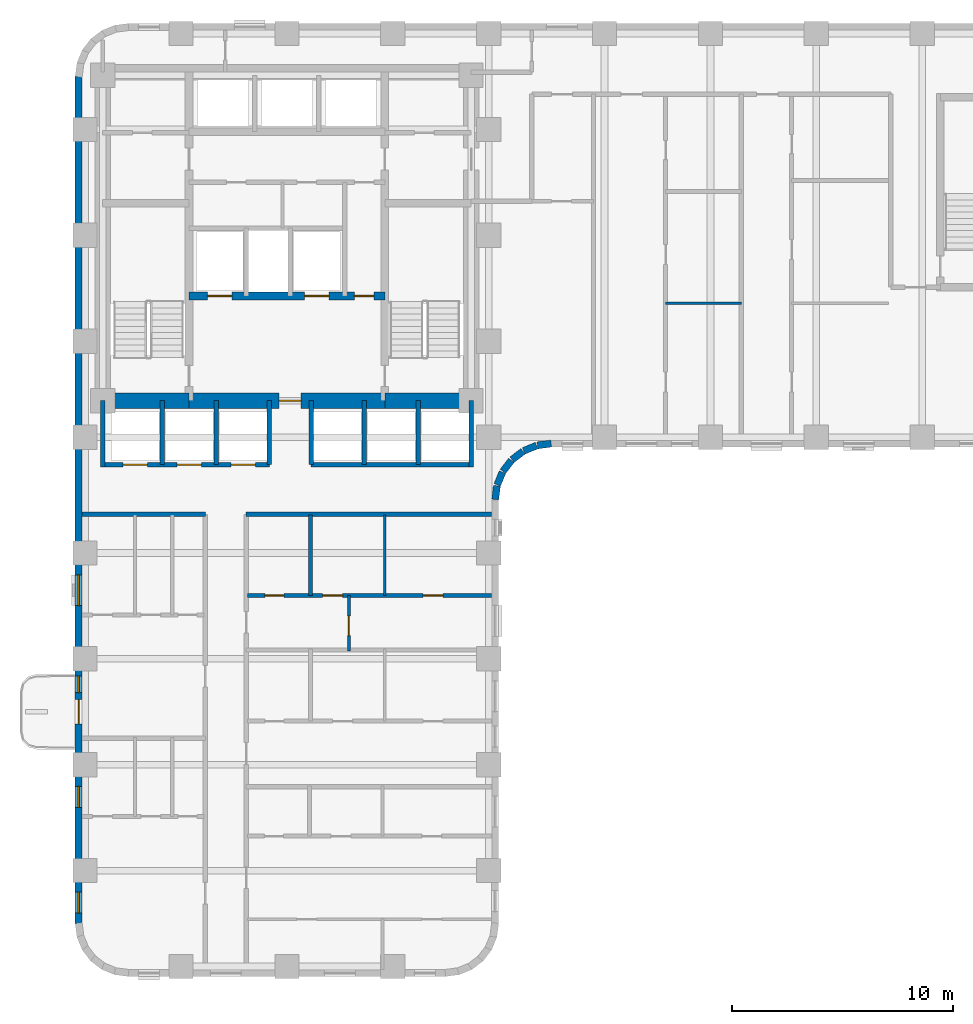
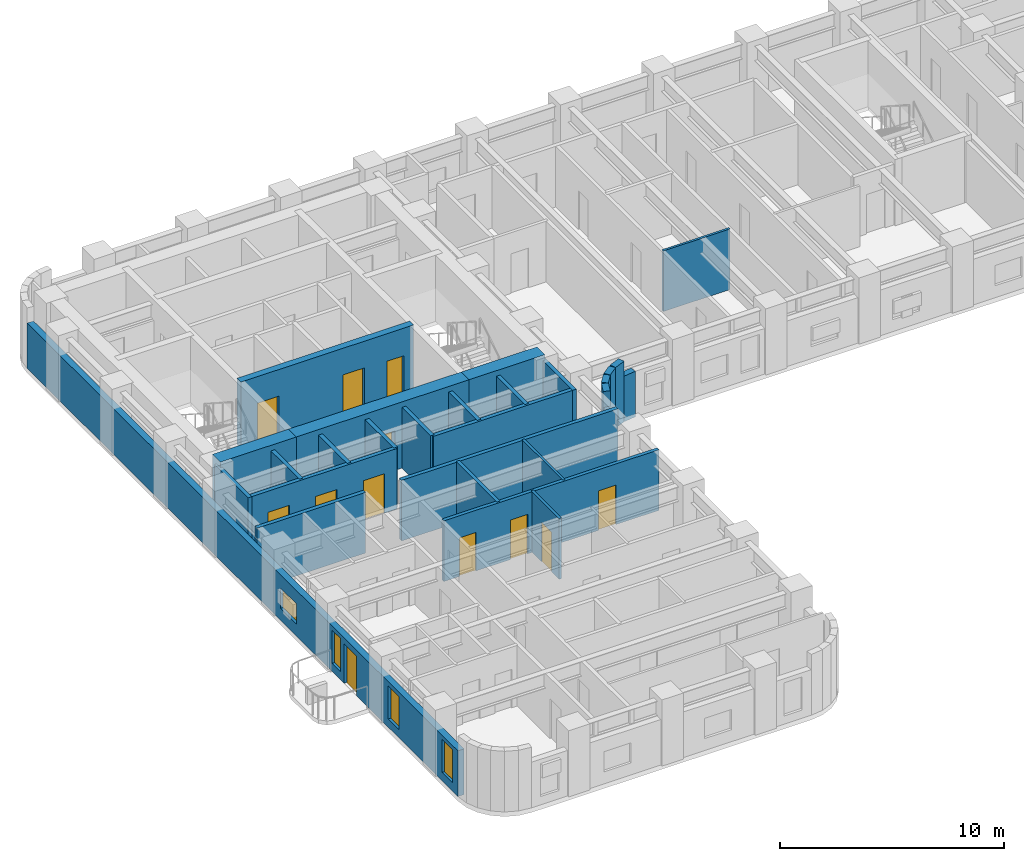
# One storey, part 4 of 11: 28 walls, 12 doors, 4 windows, 16 openings.
"""IFC4 building model written with IfcOpenShell, lengths in metres."""

from ifc_helpers import new_model, si_unit, direction, frame, frame_2d, origin, place, context, subcontext, project, spatial, rectangle, extrude, material, layer, layer_set, type_object, element, fill, save


model = new_model("IFC4")

# Units and contexts
model_context = context("Model", 3, precision=1e-05, world=origin(), true_north=direction((0.0, 1.0)))
body_context = subcontext(model_context, "Body", "Model", "MODEL_VIEW")
ifc_project = project(units=[si_unit("LENGTHUNIT", "METRE"), si_unit("AREAUNIT", "SQUARE_METRE"), si_unit("VOLUMEUNIT", "CUBIC_METRE"), si_unit("PLANEANGLEUNIT", "RADIAN"), si_unit("MASSUNIT", "GRAM", prefix="KILO")], contexts=[model_context])

# Site, building, storey
site_placement = place(None, origin())
site = spatial("IfcSite", under=ifc_project, at=site_placement, CompositionType="ELEMENT")
building_placement = place(site_placement, origin())
building = spatial("IfcBuilding", under=site, at=building_placement, Name="Orvandelia Arch Residences", CompositionType="ELEMENT")
storey_placement = place(building_placement, frame((0.0, 0.0, 93.39990234375)))
storey = spatial("IfcBuildingStorey", under=building, at=storey_placement, Name="L24", CompositionType="ELEMENT", Elevation=93.39990234375)

# Wall, openings, doors
ifc_material_1 = material(Name="Concrete C50/60", Category="concrete")
ifc_layer_1 = layer(ifc_material_1, 0.35009765625, Name="Concrete C50/60", Category="concrete")
ifc_layer_set_1 = layer_set([ifc_layer_1], Name="Concrete C50/60")
wall_type_1 = type_object("IfcWallType", Name="WL-CORE-350", PredefinedType="SHEAR", material=ifc_layer_set_1)
wall_1_placement = place(storey_placement, frame((9.9599609375, 35.64990234375, 0.0), z_axis=(0.0, 0.0, 1.0), x_axis=(1.0, 0.0, 0.0)))
wall_1 = element("IfcWall", 1, at=wall_1_placement, inside=storey, type_object=wall_type_1, Name="Core Shear Wall L24-HZ3", PredefinedType="SHEAR", context=body_context, shape_type="SweptSolid", body=[
    extrude(rectangle(XDim=8.880126953125, YDim=0.35009765625, at=frame_2d((4.43994140625, 0.0))), origin(), (0.0, 0.0, 1.0), 3.60009765625),
])
opening_1_placement = place(wall_1_placement, frame((0.840087890625, 0.0, 0.0)))
opening_1 = element("IfcOpeningElement", 2, at=opening_1_placement, cuts=wall_1, Name="Opening FLD", PredefinedType="OPENING", context=body_context, shape_type="SweptSolid", body=[
    extrude(rectangle(XDim=1.10009765625, YDim=2.14990234375, at=frame_2d((0.550048828125, 1.074951171875))), frame((0.0, 0.18505859375, 0.0), z_axis=(0.0, -1.0, 0.0), x_axis=(1.0, 0.0, 0.0)), (0.0, 0.0, 1.0), 0.3701171875),
])
opening_2_placement = place(wall_1_placement, frame((5.239990234375, 0.0, 0.0)))
opening_2 = element("IfcOpeningElement", 3, at=opening_2_placement, cuts=wall_1, Name="Opening FLD", PredefinedType="OPENING", context=body_context, shape_type="SweptSolid", body=[
    extrude(rectangle(XDim=1.10009765625, YDim=2.14990234375, at=frame_2d((0.550048828125, 1.074951171875))), frame((0.0, 0.18505859375, 0.0), z_axis=(0.0, -1.0, 0.0), x_axis=(1.0, 0.0, 0.0)), (0.0, 0.0, 1.0), 0.3701171875),
])
opening_3_placement = place(wall_1_placement, frame((7.5, 0.0, 0.0)))
opening_3 = element("IfcOpeningElement", 4, at=opening_3_placement, cuts=wall_1, Name="Opening D5", PredefinedType="OPENING", context=body_context, shape_type="SweptSolid", body=[
    extrude(rectangle(XDim=0.8798828125, YDim=2.10009765625, at=frame_2d((0.43994140625, 1.050048828125))), frame((0.0, 0.18505859375, 0.0), z_axis=(0.0, -1.0, 0.0), x_axis=(1.0, 0.0, 0.0)), (0.0, 0.0, 1.0), 0.3701171875),
])
ifc_material_2 = material(Name="Firefighting Lift Stainless Sliding Door")
door_type_1 = type_object("IfcDoorType", Name="DR-FLFT-1100", OperationType="NOTDEFINED", PredefinedType="DOOR", material=ifc_material_2)
door_1_placement = place(opening_1_placement, origin())
door_1 = element("IfcDoor", 5, at=door_1_placement, inside=storey, type_object=door_type_1, Name="Firefighting Lift Landing Door FLD-FL1-L24", OperationType="SLIDING_TO_LEFT", OverallHeight=2.14990234375, OverallWidth=1.10009765625, PredefinedType="DOOR", context=body_context, shape_type="SweptSolid", body=[
    extrude(rectangle(XDim=1.10009765625, YDim=2.14990234375, at=frame_2d((0.550048828125, 1.074951171875))), frame((0.0, 0.02490234375, 0.0), z_axis=(0.0, -1.0, 0.0), x_axis=(1.0, 0.0, 0.0)), (0.0, 0.0, 1.0), 0.050048828125),
])
fill(opening_1, door_1)
door_2_placement = place(opening_2_placement, origin())
door_2 = element("IfcDoor", 6, at=door_2_placement, inside=storey, type_object=door_type_1, Name="Firefighting Lift Landing Door FLD-FL2-L24", OperationType="SLIDING_TO_RIGHT", OverallHeight=2.14990234375, OverallWidth=1.10009765625, PredefinedType="DOOR", context=body_context, shape_type="SweptSolid", body=[
    extrude(rectangle(XDim=1.10009765625, YDim=2.14990234375, at=frame_2d((0.550048828125, 1.074951171875))), frame((0.0, 0.02490234375, 0.0), z_axis=(0.0, -1.0, 0.0), x_axis=(1.0, 0.0, 0.0)), (0.0, 0.0, 1.0), 0.050048828125),
])
fill(opening_2, door_2)
ifc_material_3 = material(Name="Painted Galvanised Steel Service Door", Category="steel")
door_type_2 = type_object("IfcDoorType", Name="DR-SRV-880", OperationType="NOTDEFINED", PredefinedType="DOOR", material=ifc_material_3)
door_3_placement = place(opening_3_placement, origin())
door_3 = element("IfcDoor", 7, at=door_3_placement, inside=storey, type_object=door_type_2, Name="Core Stairway Passage South Fire Door L24", OperationType="SINGLE_SWING_LEFT", OverallHeight=2.10009765625, OverallWidth=0.8798828125, PredefinedType="DOOR", context=body_context, shape_type="SweptSolid", body=[
    extrude(rectangle(XDim=0.8798828125, YDim=2.10009765625, at=frame_2d((0.43994140625, 1.050048828125))), frame((0.0, 0.02490234375, 0.0), z_axis=(0.0, -1.0, 0.0), x_axis=(1.0, 0.0, 0.0)), (0.0, 0.0, 1.0), 0.050048828125),
])
fill(opening_3, door_3)

# Wall
ifc_material_4 = material(Name="Concrete C80/95", Category="concrete")
ifc_layer_2 = layer(ifc_material_4, 0.699951171875, Name="Concrete C80/95", Category="concrete")
ifc_layer_set_2 = layer_set([ifc_layer_2], Name="Concrete C80/95")
wall_type_2 = type_object("IfcWallType", Name="WL-CORE-700", PredefinedType="SHEAR", material=ifc_layer_set_2)
wall_2_placement = place(storey_placement, frame((6.050048828125, 30.89990234375, 0.0), z_axis=(0.0, 0.0, 1.0), x_axis=(1.0, 0.0, 0.0)))
element("IfcWall", 8, at=wall_2_placement, inside=storey, type_object=wall_type_2, Name="Core Shear Wall L24-SW", PredefinedType="SHEAR", context=body_context, shape_type="SweptSolid", body=[
    extrude(rectangle(XDim=3.909912109375, YDim=0.699951171875, at=frame_2d((1.955078125, 0.0))), origin(), (0.0, 0.0, 1.0), 3.60009765625),
])

# Wall, opening, door
wall_3_placement = place(storey_placement, frame((9.9599609375, 30.89990234375, 0.0), z_axis=(0.0, 0.0, 1.0), x_axis=(1.0, 0.0, 0.0)))
wall_3 = element("IfcWall", 9, at=wall_3_placement, inside=storey, type_object=wall_type_2, Name="Core Shear Wall L24-SM", PredefinedType="SHEAR", context=body_context, shape_type="SweptSolid", body=[
    extrude(rectangle(XDim=8.880126953125, YDim=0.699951171875, at=frame_2d((4.43994140625, 0.0))), origin(), (0.0, 0.0, 1.0), 3.60009765625),
])
opening_4_placement = place(wall_3_placement, frame((4.090087890625, 0.0, 0.0)))
opening_4 = element("IfcOpeningElement", 10, at=opening_4_placement, cuts=wall_3, Name="Opening D6", PredefinedType="OPENING", context=body_context, shape_type="SweptSolid", body=[
    extrude(rectangle(XDim=1.0, YDim=2.14990234375, at=frame_2d((0.5, 1.074951171875))), frame((0.0, 0.35986328125, 0.0), z_axis=(0.0, -1.0, 0.0), x_axis=(1.0, 0.0, 0.0)), (0.0, 0.0, 1.0), 0.719970703125),
])
ifc_material_5 = material(Name="Smokeproof Painted Steel Fire Door", Category="steel")
door_type_3 = type_object("IfcDoorType", Name="DR-FD60-1000", OperationType="NOTDEFINED", PredefinedType="DOOR", material=ifc_material_5)
door_4_placement = place(opening_4_placement, origin())
door_4 = element("IfcDoor", 11, at=door_4_placement, inside=storey, type_object=door_type_3, Name="Firefighting Lobby Smokeproof Door L24", OperationType="SINGLE_SWING_LEFT", OverallHeight=2.14990234375, OverallWidth=1.0, PredefinedType="DOOR", context=body_context, shape_type="SweptSolid", body=[
    extrude(rectangle(XDim=1.0, YDim=2.14990234375, at=frame_2d((0.5, 1.074951171875))), frame((0.0, 0.02490234375, 0.0), z_axis=(0.0, -1.0, 0.0), x_axis=(1.0, 0.0, 0.0)), (0.0, 0.0, 1.0), 0.050048828125),
])
fill(opening_4, door_4)

# Walls
wall_4_placement = place(storey_placement, frame((18.840087890625, 30.89990234375, 0.0), z_axis=(0.0, 0.0, 1.0), x_axis=(1.0, 0.0, 0.0)))
element("IfcWall", 12, at=wall_4_placement, inside=storey, type_object=wall_type_2, Name="Core Shear Wall L24-SE", PredefinedType="SHEAR", context=body_context, shape_type="SweptSolid", body=[
    extrude(rectangle(XDim=3.909912109375, YDim=0.699951171875, at=frame_2d((1.955078125, 0.0))), origin(), (0.0, 0.0, 1.0), 3.60009765625),
])
ifc_material_6 = material(Name="Fire-Rated Corridor Partition")
ifc_layer_3 = layer(ifc_material_6, 0.199951171875, Name="Fire-Rated Corridor Partition")
ifc_layer_set_3 = layer_set([ifc_layer_3], Name="Fire-Rated Corridor Partition")
wall_type_3 = type_object("IfcWallType", Name="WL-CORR-200", PredefinedType="PARTITIONING", material=ifc_layer_set_3)
wall_5_placement = place(storey_placement, frame((5.1201171875, 25.75, 0.0), z_axis=(0.0, 0.0, 1.0), x_axis=(1.0, 0.0, 0.0)))
element("IfcWall", 13, at=wall_5_placement, inside=storey, type_object=wall_type_3, Name="Interior Partition Wall WL-L24-WCLS-W", PredefinedType="PARTITIONING", context=body_context, shape_type="SweptSolid", body=[
    extrude(rectangle(XDim=5.579833984375, YDim=0.199951171875, at=frame_2d((2.7900390625, 0.0))), origin(), (0.0, 0.0, 1.0), 3.300048828125),
])
wall_6_placement = place(storey_placement, frame((12.550048828125, 25.75, 0.0), z_axis=(0.0, 0.0, 1.0), x_axis=(1.0, 0.0, 0.0)))
element("IfcWall", 14, at=wall_6_placement, inside=storey, type_object=wall_type_3, Name="Interior Partition Wall WL-L24-WCLS-E", PredefinedType="PARTITIONING", context=body_context, shape_type="SweptSolid", body=[
    extrude(rectangle(XDim=11.1298828125, YDim=0.199951171875, at=frame_2d((5.56494140625, 0.0))), origin(), (0.0, 0.0, 1.0), 3.300048828125),
])
ifc_material_7 = material(Name="Precast concrete C40/50", Category="concrete")
ifc_layer_4 = layer(ifc_material_7, 0.320068359375, Name="Precast concrete C40/50", Category="concrete")
ifc_layer_set_4 = layer_set([ifc_layer_4], Name="Precast concrete C40/50")
wall_type_4 = type_object("IfcWallType", Name="WL-EXT-STONE-320", PredefinedType="STANDARD", material=ifc_layer_set_4)
wall_7_placement = place(storey_placement, frame((26.379150390625, 28.95849609375, 0.0), z_axis=(0.0, 0.0, 1.0), x_axis=(-0.991447664465, -0.130504898859, 0.0)))
element("IfcWall", 15, at=wall_7_placement, inside=storey, type_object=wall_type_4, Name="Coral-Limestone Precast Facade Wall L24-022", PredefinedType="STANDARD", context=body_context, shape_type="SweptSolid", body=[
    extrude(rectangle(XDim=0.626708984375, YDim=0.320068359375, at=frame_2d((0.3134765625, 0.0))), origin(), (0.0, 0.0, 1.0), 2.47998046875),
])
wall_8_placement = place(storey_placement, frame((25.717529296875, 28.865966796875, 0.0), z_axis=(0.0, 0.0, 1.0), x_axis=(-0.923836271867, -0.382787856107, 0.0)))
element("IfcWall", 16, at=wall_8_placement, inside=storey, type_object=wall_type_4, Name="Coral-Limestone Precast Facade Wall L24-023", PredefinedType="STANDARD", context=body_context, shape_type="SweptSolid", body=[
    extrude(rectangle(XDim=0.626220703125, YDim=0.320068359375, at=frame_2d((0.31298828125, 0.0))), origin(), (0.0, 0.0, 1.0), 3.300048828125),
])
for number, where, z_axis, x_axis, name in (
    (17, (25.1025390625, 28.60546875, 0.0), (0.0, 0.0, 1.0), (-0.793405610854, -0.608693302629, 0.0), "Coral-Limestone Precast Facade Wall L24-024"),
    (18, (24.575927734375, 28.194580078125, 0.0), (0.0, 0.0, 1.0), (-0.608693302629, -0.793405610854, 0.0), "Coral-Limestone Precast Facade Wall L24-025"),
):
    element("IfcWall", number, at=place(storey_placement, frame(where, z_axis=z_axis, x_axis=x_axis)), inside=storey, type_object=wall_type_4, Name=name, PredefinedType="STANDARD", context=body_context, shape_type="SweptSolid", body=[
        extrude(rectangle(XDim=0.62646484375, YDim=0.320068359375, at=frame_2d((0.313232421875, 0.0))), origin(), (0.0, 0.0, 1.0), 3.300048828125),
    ])
wall_9_placement = place(storey_placement, frame((24.173583984375, 27.6611328125, 0.0), z_axis=(0.0, 0.0, 1.0), x_axis=(-0.382455093999, -0.923974080304, 0.0)))
element("IfcWall", 19, at=wall_9_placement, inside=storey, type_object=wall_type_4, Name="Coral-Limestone Precast Facade Wall L24-026", PredefinedType="STANDARD", context=body_context, shape_type="SweptSolid", body=[
    extrude(rectangle(XDim=0.626220703125, YDim=0.320068359375, at=frame_2d((0.31298828125, 0.0))), origin(), (0.0, 0.0, 1.0), 3.300048828125),
])
wall_10_placement = place(storey_placement, frame((23.923095703125, 27.0419921875, 0.0), z_axis=(0.0, 0.0, 1.0), x_axis=(-0.130555323746, -0.9914410257, 0.0)))
element("IfcWall", 20, at=wall_10_placement, inside=storey, type_object=wall_type_4, Name="Coral-Limestone Precast Facade Wall L24-027", PredefinedType="STANDARD", context=body_context, shape_type="SweptSolid", body=[
    extrude(rectangle(XDim=0.62646484375, YDim=0.320068359375, at=frame_2d((0.313232421875, 0.0))), origin(), (0.0, 0.0, 1.0), 2.47998046875),
])

# Wall, openings, door, windows
wall_11_placement = place(storey_placement, frame((4.9599609375, 7.199951171875, 0.0), z_axis=(0.0, 0.0, 1.0), x_axis=(0.0, 1.0, 0.0)))
wall_11 = element("IfcWall", 21, at=wall_11_placement, inside=storey, type_object=wall_type_4, Name="Coral-Limestone Precast Facade Wall L24-042", PredefinedType="STANDARD", context=body_context, shape_type="SweptSolid", body=[
    extrude(rectangle(XDim=38.400146484375, YDim=0.320068359375, at=frame_2d((19.2001953125, 0.0))), origin(), (0.0, 0.0, 1.0), 2.47998046875),
])
opening_5_placement = place(wall_11_placement, frame((9.050048828125, 0.0, 0.0)))
opening_5 = element("IfcOpeningElement", 22, at=opening_5_placement, cuts=wall_11, Name="Opening BD1", PredefinedType="OPENING", context=body_context, shape_type="SweptSolid", body=[
    extrude(rectangle(XDim=1.10009765625, YDim=2.14990234375, at=frame_2d((0.550048828125, 1.074951171875))), frame((0.0, 0.169921875, 0.0), z_axis=(0.0, -1.0, 0.0), x_axis=(1.0, 0.0, 0.0)), (0.0, 0.0, 1.0), 0.340087890625),
])
opening_6_placement = place(wall_11_placement, frame((5.27001953125, 0.0, 0.449951171875)))
opening_6 = element("IfcOpeningElement", 23, at=opening_6_placement, cuts=wall_11, Name="Opening W4", PredefinedType="OPENING", context=body_context, shape_type="SweptSolid", body=[
    extrude(rectangle(XDim=0.949951171875, YDim=1.800048828125, at=frame_2d((0.47509765625, 0.89990234375))), frame((0.0, 0.169921875, 0.0), z_axis=(0.0, -1.0, 0.0), x_axis=(1.0, 0.0, 0.0)), (0.0, 0.0, 1.0), 0.340087890625),
])
opening_7_placement = place(wall_11_placement, frame((14.409912109375, 0.0, 0.64990234375)))
opening_7 = element("IfcOpeningElement", 24, at=opening_7_placement, cuts=wall_11, Name="Opening W10", PredefinedType="OPENING", context=body_context, shape_type="SweptSolid", body=[
    extrude(rectangle(XDim=1.39990234375, YDim=1.10009765625, at=frame_2d((0.699951171875, 0.550048828125))), frame((0.0, 0.169921875, 0.0), z_axis=(0.0, -1.0, 0.0), x_axis=(1.0, 0.0, 0.0)), (0.0, 0.0, 1.0), 0.340087890625),
])
opening_8_placement = place(wall_11_placement, frame((0.469970703125, 0.0, 0.449951171875)))
opening_8 = element("IfcOpeningElement", 25, at=opening_8_placement, cuts=wall_11, Name="Opening W4", PredefinedType="OPENING", context=body_context, shape_type="SweptSolid", body=[
    extrude(rectangle(XDim=0.949951171875, YDim=1.800048828125, at=frame_2d((0.47509765625, 0.89990234375))), frame((0.0, 0.169921875, 0.0), z_axis=(0.0, -1.0, 0.0), x_axis=(1.0, 0.0, 0.0)), (0.0, 0.0, 1.0), 0.340087890625),
])
opening_9_placement = place(wall_11_placement, frame((10.465087890625, 0.0, 0.449951171875)))
opening_9 = element("IfcOpeningElement", 26, at=opening_9_placement, cuts=wall_11, Name="Opening W11", PredefinedType="OPENING", context=body_context, shape_type="SweptSolid", body=[
    extrude(rectangle(XDim=0.75, YDim=1.800048828125, at=frame_2d((0.375, 0.89990234375))), frame((0.0, 0.169921875, 0.0), z_axis=(0.0, -1.0, 0.0), x_axis=(1.0, 0.0, 0.0)), (0.0, 0.0, 1.0), 0.340087890625),
])
ifc_material_8 = material(Name="Thermally Broken Aluminium Glazed Door", Category="aluminium")
door_type_4 = type_object("IfcDoorType", Name="DR-BAL-GLAZ-1100", OperationType="NOTDEFINED", PredefinedType="DOOR", material=ifc_material_8)
door_5_placement = place(opening_5_placement, origin())
door_5 = element("IfcDoor", 27, at=door_5_placement, inside=storey, type_object=door_type_4, Name="Tree Balcony Glazed Door BAL-L24-W1", OperationType="SINGLE_SWING_RIGHT", OverallHeight=2.14990234375, OverallWidth=1.10009765625, PredefinedType="DOOR", context=body_context, shape_type="SweptSolid", body=[
    extrude(rectangle(XDim=1.10009765625, YDim=2.14990234375, at=frame_2d((0.550048828125, 1.074951171875))), frame((0.0, 0.02490234375, 0.0), z_axis=(0.0, -1.0, 0.0), x_axis=(1.0, 0.0, 0.0)), (0.0, 0.0, 1.0), 0.050048828125),
])
fill(opening_5, door_5)
ifc_material_9 = material(Name="Tempered Low-E Insulated Glazing", Category="glass")
window_type_1 = type_object("IfcWindowType", Name="WIN-BED-0750x1800", PartitioningType="SINGLE_PANEL", PredefinedType="WINDOW", material=ifc_material_9)
window_1_placement = place(opening_9_placement, origin())
window_1 = element("IfcWindow", 28, at=window_1_placement, inside=storey, type_object=window_type_1, Name="Recessed Punched Window L24-029", OverallHeight=1.800048828125, OverallWidth=0.75, PartitioningType="SINGLE_PANEL", PredefinedType="WINDOW", context=body_context, shape_type="SweptSolid", body=[
    extrude(rectangle(XDim=0.75, YDim=1.800048828125, at=frame_2d((0.375, 0.89990234375))), frame((0.0, 0.030029296875, 0.0), z_axis=(0.0, -1.0, 0.0), x_axis=(1.0, 0.0, 0.0)), (0.0, 0.0, 1.0), 0.06005859375),
])
fill(opening_9, window_1)
window_type_2 = type_object("IfcWindowType", Name="WIN-CLR-1400x1100", PartitioningType="SINGLE_PANEL", PredefinedType="WINDOW", material=ifc_material_9)
window_2_placement = place(opening_7_placement, origin())
window_2 = element("IfcWindow", 29, at=window_2_placement, inside=storey, type_object=window_type_2, Name="Recessed Punched Window L24-027", OverallHeight=1.10009765625, OverallWidth=1.39990234375, PartitioningType="SINGLE_PANEL", PredefinedType="WINDOW", context=body_context, shape_type="SweptSolid", body=[
    extrude(rectangle(XDim=1.39990234375, YDim=1.10009765625, at=frame_2d((0.699951171875, 0.550048828125))), frame((0.0, 0.030029296875, 0.0), z_axis=(0.0, -1.0, 0.0), x_axis=(1.0, 0.0, 0.0)), (0.0, 0.0, 1.0), 0.06005859375),
])
fill(opening_7, window_2)
window_type_3 = type_object("IfcWindowType", Name="WIN-RES-0950x1800", PartitioningType="SINGLE_PANEL", PredefinedType="WINDOW", material=ifc_material_9)
window_3_placement = place(opening_6_placement, origin())
window_3 = element("IfcWindow", 30, at=window_3_placement, inside=storey, type_object=window_type_3, Name="Recessed Punched Window L24-026", OverallHeight=1.800048828125, OverallWidth=0.949951171875, PartitioningType="SINGLE_PANEL", PredefinedType="WINDOW", context=body_context, shape_type="SweptSolid", body=[
    extrude(rectangle(XDim=0.949951171875, YDim=1.800048828125, at=frame_2d((0.47509765625, 0.89990234375))), frame((0.0, 0.030029296875, 0.0), z_axis=(0.0, -1.0, 0.0), x_axis=(1.0, 0.0, 0.0)), (0.0, 0.0, 1.0), 0.06005859375),
])
fill(opening_6, window_3)
window_4_placement = place(opening_8_placement, origin())
window_4 = element("IfcWindow", 31, at=window_4_placement, inside=storey, type_object=window_type_3, Name="Recessed Punched Window L24-028", OverallHeight=1.800048828125, OverallWidth=0.949951171875, PartitioningType="SINGLE_PANEL", PredefinedType="WINDOW", context=body_context, shape_type="SweptSolid", body=[
    extrude(rectangle(XDim=0.949951171875, YDim=1.800048828125, at=frame_2d((0.47509765625, 0.89990234375))), frame((0.0, 0.030029296875, 0.0), z_axis=(0.0, -1.0, 0.0), x_axis=(1.0, 0.0, 0.0)), (0.0, 0.0, 1.0), 0.06005859375),
])
fill(opening_8, window_4)

# Walls
ifc_material_10 = material(Name="Lightweight Gypsum Stud Partition")
ifc_layer_5 = layer(ifc_material_10, 0.1201171875, Name="Lightweight Gypsum Stud Partition")
ifc_layer_set_5 = layer_set([ifc_layer_5], Name="Lightweight Gypsum Stud Partition")
wall_type_5 = type_object("IfcWallType", Name="WL-PART-120", PredefinedType="PARTITIONING", material=ifc_layer_set_5)
wall_12_placement = place(storey_placement, frame((18.843017578125, 22.070068359375, 0.0), z_axis=(0.0, 0.0, 1.0), x_axis=(0.0, 1.0, 0.0)))
element("IfcWall", 32, at=wall_12_placement, inside=storey, type_object=wall_type_5, Name="Interior Partition Wall WL-L24-U05-V2", PredefinedType="PARTITIONING", context=body_context, shape_type="SweptSolid", body=[
    extrude(rectangle(XDim=3.64990234375, YDim=0.1201171875, at=frame_2d((1.824951171875, 0.0))), origin(), (0.0, 0.0, 1.0), 3.300048828125),
])
wall_13_placement = place(storey_placement, frame((31.571044921875, 35.31591796875, 0.0), z_axis=(0.0, 0.0, 1.0), x_axis=(1.0, 0.0, 0.0)))
element("IfcWall", 33, at=wall_13_placement, inside=storey, type_object=wall_type_5, Name="Interior Partition Wall WL-L24-U06-H1", PredefinedType="PARTITIONING", context=body_context, shape_type="SweptSolid", body=[
    extrude(rectangle(XDim=3.428955078125, YDim=0.1201171875, at=frame_2d((1.71435546875, 0.0))), origin(), (0.0, 0.0, 1.0), 3.300048828125),
])

# Wall, opening, door
ifc_material_11 = material(Name="Double-Layer Acoustic Gypsum Partition")
ifc_layer_6 = layer(ifc_material_11, 0.135009765625, Name="Double-Layer Acoustic Gypsum Partition")
ifc_layer_set_6 = layer_set([ifc_layer_6], Name="Double-Layer Acoustic Gypsum Partition")
wall_type_6 = type_object("IfcWallType", Name="WL-PART-135", PredefinedType="PARTITIONING", material=ifc_layer_set_6)
wall_14_placement = place(storey_placement, frame((17.20703125, 19.56005859375, 0.0), z_axis=(0.0, 0.0, 1.0), x_axis=(0.0, 1.0, 0.0)))
wall_14 = element("IfcWall", 34, at=wall_14_placement, inside=storey, type_object=wall_type_6, Name="Interior Partition Wall WL-L24-U05-DIN", PredefinedType="PARTITIONING", context=body_context, shape_type="SweptSolid", body=[
    extrude(rectangle(XDim=2.510009765625, YDim=0.135009765625, at=frame_2d((1.2548828125, 0.0))), origin(), (0.0, 0.0, 1.0), 3.300048828125),
])
opening_10_placement = place(wall_14_placement, frame((0.6884765625, 0.0, 0.0)))
opening_10 = element("IfcOpeningElement", 35, at=opening_10_placement, cuts=wall_14, Name="Opening D3", PredefinedType="OPENING", context=body_context, shape_type="SweptSolid", body=[
    extrude(rectangle(XDim=0.89990234375, YDim=2.14990234375, at=frame_2d((0.449951171875, 1.074951171875))), frame((0.0, 0.07763671875, 0.0), z_axis=(0.0, -1.0, 0.0), x_axis=(1.0, 0.0, 0.0)), (0.0, 0.0, 1.0), 0.155029296875),
])
ifc_material_12 = material(Name="Engineered Timber Flush Door", Category="wood")
door_type_5 = type_object("IfcDoorType", Name="DR-INT-900", OperationType="NOTDEFINED", PredefinedType="DOOR", material=ifc_material_12)
door_6_placement = place(opening_10_placement, origin())
door_6 = element("IfcDoor", 36, at=door_6_placement, inside=storey, type_object=door_type_5, Name="DR-L24-U05-DIN", OperationType="SINGLE_SWING_RIGHT", OverallHeight=2.14990234375, OverallWidth=0.89990234375, PredefinedType="DOOR", context=body_context, shape_type="SweptSolid", body=[
    extrude(rectangle(XDim=0.89990234375, YDim=2.14990234375, at=frame_2d((0.449951171875, 1.074951171875))), frame((0.0, 0.02490234375, 0.0), z_axis=(0.0, -1.0, 0.0), x_axis=(1.0, 0.0, 0.0)), (0.0, 0.0, 1.0), 0.050048828125),
])
fill(opening_10, door_6)

# Wall, openings, doors
ifc_material_13 = material(Name="Fire-Rated Shaft Enclosure Wall")
ifc_layer_7 = layer(ifc_material_13, 0.199951171875, Name="Fire-Rated Shaft Enclosure Wall")
ifc_layer_set_7 = layer_set([ifc_layer_7], Name="Fire-Rated Shaft Enclosure Wall")
wall_type_7 = type_object("IfcWallType", Name="WL-SHAFT-200", PredefinedType="POLYGONAL", material=ifc_layer_set_7)
wall_15_placement = place(storey_placement, frame((6.050048828125, 28.0, 0.0), z_axis=(0.0, 0.0, 1.0), x_axis=(1.0, 0.0, 0.0)))
wall_15 = element("IfcWall", 37, at=wall_15_placement, inside=storey, type_object=wall_type_7, Name="Interior Partition Wall WL-L24-BNKL-S", PredefinedType="POLYGONAL", context=body_context, shape_type="SweptSolid", body=[
    extrude(rectangle(XDim=7.550048828125, YDim=0.199951171875, at=frame_2d((3.77490234375, 0.0))), origin(), (0.0, 0.0, 1.0), 3.300048828125),
])
opening_11_placement = place(wall_15_placement, frame((0.925048828125, 0.0, 0.0)))
opening_11 = element("IfcOpeningElement", 38, at=opening_11_placement, cuts=wall_15, Name="Opening LD", PredefinedType="OPENING", context=body_context, shape_type="SweptSolid", body=[
    extrude(rectangle(XDim=1.10009765625, YDim=2.14990234375, at=frame_2d((0.550048828125, 1.074951171875))), frame((0.0, 0.10986328125, 0.0), z_axis=(0.0, -1.0, 0.0), x_axis=(1.0, 0.0, 0.0)), (0.0, 0.0, 1.0), 0.219970703125),
])
opening_12_placement = place(wall_15_placement, frame((3.375, 0.0, 0.0)))
opening_12 = element("IfcOpeningElement", 39, at=opening_12_placement, cuts=wall_15, Name="Opening LD", PredefinedType="OPENING", context=body_context, shape_type="SweptSolid", body=[
    extrude(rectangle(XDim=1.10009765625, YDim=2.14990234375, at=frame_2d((0.550048828125, 1.074951171875))), frame((0.0, 0.10986328125, 0.0), z_axis=(0.0, -1.0, 0.0), x_axis=(1.0, 0.0, 0.0)), (0.0, 0.0, 1.0), 0.219970703125),
])
opening_13_placement = place(wall_15_placement, frame((5.824951171875, 0.0, 0.0)))
opening_13 = element("IfcOpeningElement", 40, at=opening_13_placement, cuts=wall_15, Name="Opening LD", PredefinedType="OPENING", context=body_context, shape_type="SweptSolid", body=[
    extrude(rectangle(XDim=1.10009765625, YDim=2.14990234375, at=frame_2d((0.550048828125, 1.074951171875))), frame((0.0, 0.10986328125, 0.0), z_axis=(0.0, -1.0, 0.0), x_axis=(1.0, 0.0, 0.0)), (0.0, 0.0, 1.0), 0.219970703125),
])
ifc_material_14 = material(Name="Brushed Stainless Steel Sliding Lift Door", Category="steel")
door_type_6 = type_object("IfcDoorType", Name="DR-LIFT-1100", OperationType="NOTDEFINED", PredefinedType="DOOR", material=ifc_material_14)
door_7_placement = place(opening_11_placement, origin())
door_7 = element("IfcDoor", 41, at=door_7_placement, inside=storey, type_object=door_type_6, Name="Lift Landing Door LD-PL1", OperationType="SLIDING_TO_LEFT", OverallHeight=2.14990234375, OverallWidth=1.10009765625, PredefinedType="DOOR", context=body_context, shape_type="SweptSolid", body=[
    extrude(rectangle(XDim=1.10009765625, YDim=2.14990234375, at=frame_2d((0.550048828125, 1.074951171875))), frame((0.0, 0.02490234375, 0.0), z_axis=(0.0, -1.0, 0.0), x_axis=(1.0, 0.0, 0.0)), (0.0, 0.0, 1.0), 0.050048828125),
])
fill(opening_11, door_7)
door_8_placement = place(opening_12_placement, origin())
door_8 = element("IfcDoor", 42, at=door_8_placement, inside=storey, type_object=door_type_6, Name="Lift Landing Door LD-PL2", OperationType="SLIDING_TO_RIGHT", OverallHeight=2.14990234375, OverallWidth=1.10009765625, PredefinedType="DOOR", context=body_context, shape_type="SweptSolid", body=[
    extrude(rectangle(XDim=1.10009765625, YDim=2.14990234375, at=frame_2d((0.550048828125, 1.074951171875))), frame((0.0, 0.02490234375, 0.0), z_axis=(0.0, -1.0, 0.0), x_axis=(1.0, 0.0, 0.0)), (0.0, 0.0, 1.0), 0.050048828125),
])
fill(opening_12, door_8)
door_9_placement = place(opening_13_placement, origin())
door_9 = element("IfcDoor", 43, at=door_9_placement, inside=storey, type_object=door_type_6, Name="Lift Landing Door LD-PL3", OperationType="SLIDING_TO_LEFT", OverallHeight=2.14990234375, OverallWidth=1.10009765625, PredefinedType="DOOR", context=body_context, shape_type="SweptSolid", body=[
    extrude(rectangle(XDim=1.10009765625, YDim=2.14990234375, at=frame_2d((0.550048828125, 1.074951171875))), frame((0.0, 0.02490234375, 0.0), z_axis=(0.0, -1.0, 0.0), x_axis=(1.0, 0.0, 0.0)), (0.0, 0.0, 1.0), 0.050048828125),
])
fill(opening_13, door_9)

# Walls
wall_16_placement = place(storey_placement, frame((15.5, 28.0, 0.0), z_axis=(0.0, 0.0, 1.0), x_axis=(1.0, 0.0, 0.0)))
element("IfcWall", 44, at=wall_16_placement, inside=storey, type_object=wall_type_7, Name="Interior Partition Wall WL-L24-BNKM-S", PredefinedType="POLYGONAL", context=body_context, shape_type="SweptSolid", body=[
    extrude(rectangle(XDim=7.25, YDim=0.199951171875, at=frame_2d((3.625, 0.0))), origin(), (0.0, 0.0, 1.0), 3.300048828125),
])
for number, where, z_axis, x_axis, name in (
    (45, (6.050048828125, 27.89990234375, 0.0), (0.0, 0.0, 1.0), (0.0, 1.0, 0.0), "Interior Partition Wall WL-L24-BNKL-W"),
    (46, (22.75, 27.89990234375, 0.0), (0.0, 0.0, 1.0), (0.0, 1.0, 0.0), "Interior Partition Wall WL-L24-BNKM-E"),
):
    element("IfcWall", number, at=place(storey_placement, frame(where, z_axis=z_axis, x_axis=x_axis)), inside=storey, type_object=wall_type_7, Name=name, PredefinedType="POLYGONAL", context=body_context, shape_type="SweptSolid", body=[
        extrude(rectangle(XDim=3.0, YDim=0.199951171875, at=frame_2d((1.5, 0.0))), origin(), (0.0, 0.0, 1.0), 3.300048828125),
    ])
for number, where, z_axis, x_axis, name in (
    (47, (13.60009765625, 28.0, 0.0), (0.0, 0.0, 1.0), (0.0, 1.0, 0.0), "Interior Partition Wall WL-L24-BNKL-E"),
    (48, (15.5, 28.0, 0.0), (0.0, 0.0, 1.0), (0.0, 1.0, 0.0), "Interior Partition Wall WL-L24-BNKM-W"),
    (49, (8.75, 28.0, 0.0), (0.0, 0.0, 1.0), (0.0, 1.0, 0.0), "Interior Partition Wall WL-L24-BNKD-875"),
    (50, (11.199951171875, 28.0, 0.0), (0.0, 0.0, 1.0), (0.0, 1.0, 0.0), "Interior Partition Wall WL-L24-BNKD-1120"),
    (51, (17.89990234375, 28.0, 0.0), (0.0, 0.0, 1.0), (0.0, 1.0, 0.0), "Interior Partition Wall WL-L24-BNKD-1789"),
    (52, (20.35009765625, 28.0, 0.0), (0.0, 0.0, 1.0), (0.0, 1.0, 0.0), "Interior Partition Wall WL-L24-BNKD-2035"),
):
    element("IfcWall", number, at=place(storey_placement, frame(where, z_axis=z_axis, x_axis=x_axis)), inside=storey, type_object=wall_type_7, Name=name, PredefinedType="POLYGONAL", context=body_context, shape_type="SweptSolid", body=[
        extrude(rectangle(XDim=2.89990234375, YDim=0.199951171875, at=frame_2d((1.449951171875, 0.0))), origin(), (0.0, 0.0, 1.0), 3.300048828125),
    ])

# Wall, openings, doors
ifc_material_15 = material(Name="Moisture-Resistant Plumbing Wall")
ifc_layer_8 = layer(ifc_material_15, 0.179931640625, Name="Moisture-Resistant Plumbing Wall")
ifc_layer_set_8 = layer_set([ifc_layer_8], Name="Moisture-Resistant Plumbing Wall")
wall_type_8 = type_object("IfcWallType", Name="WL-WET-180", PredefinedType="PLUMBINGWALL", material=ifc_layer_set_8)
wall_17_placement = place(storey_placement, frame((12.610107421875, 22.070068359375, 0.0), z_axis=(0.0, 0.0, 1.0), x_axis=(1.0, 0.0, 0.0)))
wall_17 = element("IfcWall", 53, at=wall_17_placement, inside=storey, type_object=wall_type_8, Name="Interior Partition Wall WL-L24-U05-HZ", PredefinedType="PLUMBINGWALL", context=body_context, shape_type="SweptSolid", body=[
    extrude(rectangle(XDim=11.06982421875, YDim=0.179931640625, at=frame_2d((5.534912109375, 0.0))), origin(), (0.0, 0.0, 1.0), 3.300048828125),
])
opening_14_placement = place(wall_17_placement, frame((0.795166015625, 0.0, 0.0)))
opening_14 = element("IfcOpeningElement", 54, at=opening_14_placement, cuts=wall_17, Name="Opening D4", PredefinedType="OPENING", context=body_context, shape_type="SweptSolid", body=[
    extrude(rectangle(XDim=0.860107421875, YDim=2.10009765625, at=frame_2d((0.43017578125, 1.050048828125))), frame((0.0, 0.10009765625, 0.0), z_axis=(0.0, -1.0, 0.0), x_axis=(1.0, 0.0, 0.0)), (0.0, 0.0, 1.0), 0.199951171875),
])
opening_15_placement = place(wall_17_placement, frame((3.414306640625, 0.0, 0.0)))
opening_15 = element("IfcOpeningElement", 55, at=opening_15_placement, cuts=wall_17, Name="Opening D3", PredefinedType="OPENING", context=body_context, shape_type="SweptSolid", body=[
    extrude(rectangle(XDim=0.89990234375, YDim=2.14990234375, at=frame_2d((0.449951171875, 1.074951171875))), frame((0.0, 0.10009765625, 0.0), z_axis=(0.0, -1.0, 0.0), x_axis=(1.0, 0.0, 0.0)), (0.0, 0.0, 1.0), 0.199951171875),
])
opening_16_placement = place(wall_17_placement, frame((7.964111328125, 0.0, 0.0)))
opening_16 = element("IfcOpeningElement", 56, at=opening_16_placement, cuts=wall_17, Name="Opening D3", PredefinedType="OPENING", context=body_context, shape_type="SweptSolid", body=[
    extrude(rectangle(XDim=0.89990234375, YDim=2.14990234375, at=frame_2d((0.449951171875, 1.074951171875))), frame((0.0, 0.10009765625, 0.0), z_axis=(0.0, -1.0, 0.0), x_axis=(1.0, 0.0, 0.0)), (0.0, 0.0, 1.0), 0.199951171875),
])
door_10_placement = place(opening_15_placement, origin())
door_10 = element("IfcDoor", 57, at=door_10_placement, inside=storey, type_object=door_type_5, Name="DR-L24-U05-KIT", OperationType="SINGLE_SWING_LEFT", OverallHeight=2.14990234375, OverallWidth=0.89990234375, PredefinedType="DOOR", context=body_context, shape_type="SweptSolid", body=[
    extrude(rectangle(XDim=0.89990234375, YDim=2.14990234375, at=frame_2d((0.449951171875, 1.074951171875))), frame((0.0, 0.02490234375, 0.0), z_axis=(0.0, -1.0, 0.0), x_axis=(1.0, 0.0, 0.0)), (0.0, 0.0, 1.0), 0.050048828125),
])
fill(opening_15, door_10)
door_11_placement = place(opening_16_placement, origin())
door_11 = element("IfcDoor", 58, at=door_11_placement, inside=storey, type_object=door_type_5, Name="DR-L24-U05-BD1", OperationType="SINGLE_SWING_RIGHT", OverallHeight=2.14990234375, OverallWidth=0.89990234375, PredefinedType="DOOR", context=body_context, shape_type="SweptSolid", body=[
    extrude(rectangle(XDim=0.89990234375, YDim=2.14990234375, at=frame_2d((0.449951171875, 1.074951171875))), frame((0.0, 0.02490234375, 0.0), z_axis=(0.0, -1.0, 0.0), x_axis=(1.0, 0.0, 0.0)), (0.0, 0.0, 1.0), 0.050048828125),
])
fill(opening_16, door_11)
ifc_material_16 = material(Name="Moisture-Sealed Timber Bathroom Door", Category="wood")
door_type_7 = type_object("IfcDoorType", Name="DR-WET-900", OperationType="NOTDEFINED", PredefinedType="DOOR", material=ifc_material_16)
door_12_placement = place(opening_14_placement, origin())
door_12 = element("IfcDoor", 59, at=door_12_placement, inside=storey, type_object=door_type_7, Name="DR-L24-U05-BTH", OperationType="SINGLE_SWING_RIGHT", OverallHeight=2.10009765625, OverallWidth=0.860107421875, PredefinedType="DOOR", context=body_context, shape_type="SweptSolid", body=[
    extrude(rectangle(XDim=0.860107421875, YDim=2.10009765625, at=frame_2d((0.43017578125, 1.050048828125))), frame((0.0, 0.02490234375, 0.0), z_axis=(0.0, -1.0, 0.0), x_axis=(1.0, 0.0, 0.0)), (0.0, 0.0, 1.0), 0.050048828125),
])
fill(opening_14, door_12)

# Wall
wall_18_placement = place(storey_placement, frame((15.47705078125, 22.070068359375, 0.0), z_axis=(0.0, 0.0, 1.0), x_axis=(0.0, 1.0, 0.0)))
element("IfcWall", 60, at=wall_18_placement, inside=storey, type_object=wall_type_8, Name="Interior Partition Wall WL-L24-U05-V1", PredefinedType="PLUMBINGWALL", context=body_context, shape_type="SweptSolid", body=[
    extrude(rectangle(XDim=3.64990234375, YDim=0.179931640625, at=frame_2d((1.824951171875, 0.0))), origin(), (0.0, 0.0, 1.0), 3.300048828125),
])

save(model, "model.ifc")
